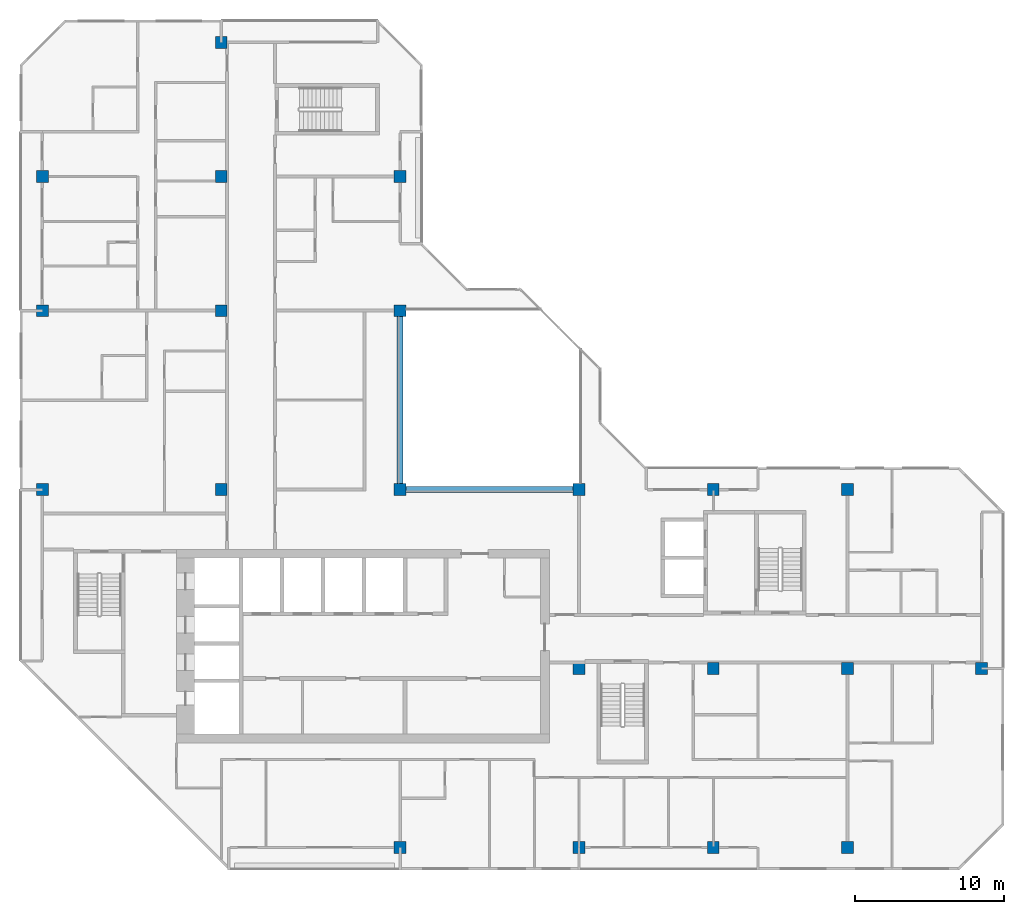
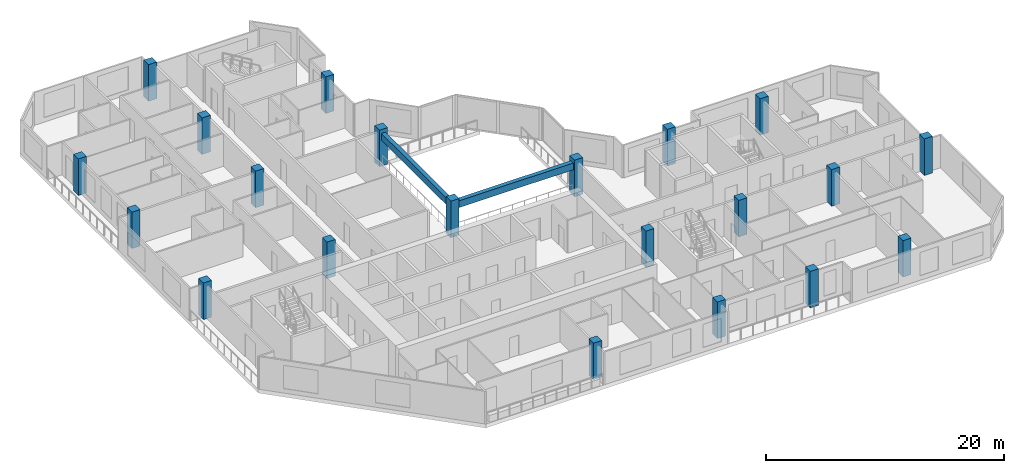
# One storey, part 1 of 13: 21 columns, 2 beams.
"""IFC4 building model written with IfcOpenShell, lengths in metres."""

from ifc_helpers import new_model, si_unit, direction, frame, origin, origin_2d, place, context, subcontext, project, spatial, rectangle, extrude, material, material_profile, profile_set, type_object, element, save


model = new_model("IFC4")

# Units and contexts
model_context = context("Model", 3, precision=1e-05, world=origin(), true_north=direction((0.0, 1.0)))
body_context = subcontext(model_context, "Body", "Model", "MODEL_VIEW")
ifc_project = project(units=[si_unit("LENGTHUNIT", "METRE"), si_unit("AREAUNIT", "SQUARE_METRE"), si_unit("VOLUMEUNIT", "CUBIC_METRE"), si_unit("PLANEANGLEUNIT", "RADIAN"), si_unit("MASSUNIT", "GRAM", prefix="KILO")], contexts=[model_context])

# Site, building, storey
site_placement = place(None, origin())
site = spatial("IfcSite", under=ifc_project, at=site_placement, CompositionType="ELEMENT")
building_placement = place(site_placement, origin())
building = spatial("IfcBuilding", under=site, at=building_placement, Name="Chenar Terraces", CompositionType="ELEMENT")
storey_placement = place(building_placement, frame((0.0, 0.0, 299.64990234375)))
storey = spatial("IfcBuildingStorey", under=building, at=storey_placement, Name="L70", CompositionType="ELEMENT", Elevation=299.64990234375)

# Columns
ifc_material_1 = material(Name="Concrete C50/60", Category="concrete")
ifc_material_profile_1 = material_profile(ifc_material_1, rectangle(XDim=0.800048828125, YDim=0.800048828125, at=origin_2d()), Name="C 800 x 800")
ifc_profile_set_1 = profile_set([ifc_material_profile_1], Name="Concrete C50/60")
column_type = type_object("IfcColumnType", Name="Column C 800 x 800 Concrete C50/60", PredefinedType="COLUMN", material=ifc_profile_set_1)
column_1_placement = place(storey_placement, frame((0.0, 24.0, 0.0), z_axis=(0.0, 0.0, 1.0), x_axis=(1.0, 0.0, 0.0)))
element("IfcColumn", 1, at=column_1_placement, inside=storey, type_object=column_type, Name="Column 5/G L70", PredefinedType="COLUMN", context=body_context, shape_type="SweptSolid", body=[
    extrude(rectangle(XDim=0.800048828125, YDim=0.800048828125, at=origin_2d()), origin(), (0.0, 0.0, 1.0), 3.75),
])
column_2_placement = place(storey_placement, frame((0.0, 36.0, 0.0), z_axis=(0.0, 0.0, 1.0), x_axis=(1.0, 0.0, 0.0)))
element("IfcColumn", 2, at=column_2_placement, inside=storey, type_object=column_type, Name="Column 5/H L70", PredefinedType="COLUMN", context=body_context, shape_type="SweptSolid", body=[
    extrude(rectangle(XDim=0.800048828125, YDim=0.800048828125, at=origin_2d()), origin(), (0.0, 0.0, 1.0), 3.75),
])
for number, where, z_axis, x_axis, name in (
    (3, (0.0, 45.0, 0.0), (0.0, 0.0, 1.0), (1.0, 0.0, 0.0), "Column 5/J L70"),
    (4, (12.0, 24.0, 0.0), (0.0, 0.0, 1.0), (1.0, 0.0, 0.0), "Column 6/G L70"),
    (5, (12.0, 36.0, 0.0), (0.0, 0.0, 1.0), (1.0, 0.0, 0.0), "Column 6/H L70"),
    (6, (12.0, 45.0, 0.0), (0.0, 0.0, 1.0), (1.0, 0.0, 0.0), "Column 6/J L70"),
    (7, (12.0, 54.0, 0.0), (0.0, 0.0, 1.0), (1.0, 0.0, 0.0), "Column 6/K L70"),
    (8, (24.0, 0.0, 0.0), (0.0, 0.0, 1.0), (1.0, 0.0, 0.0), "Column 7/E L70"),
    (9, (24.0, 24.0, 0.0), (0.0, 0.0, 1.0), (1.0, 0.0, 0.0), "Column 7/G L70"),
    (10, (24.0, 36.0, 0.0), (0.0, 0.0, 1.0), (1.0, 0.0, 0.0), "Column 7/H L70"),
    (11, (24.0, 45.0, 0.0), (0.0, 0.0, 1.0), (1.0, 0.0, 0.0), "Column 7/J L70"),
    (12, (36.0, 0.0, 0.0), (0.0, 0.0, 1.0), (1.0, 0.0, 0.0), "Column 8/E L70"),
    (13, (36.0, 12.0, 0.0), (0.0, 0.0, 1.0), (1.0, 0.0, 0.0), "Column 8/F L70"),
    (14, (36.0, 24.0, 0.0), (0.0, 0.0, 1.0), (1.0, 0.0, 0.0), "Column 8/G L70"),
    (15, (45.0, 0.0, 0.0), (0.0, 0.0, 1.0), (1.0, 0.0, 0.0), "Column 9/E L70"),
    (16, (45.0, 12.0, 0.0), (0.0, 0.0, 1.0), (1.0, 0.0, 0.0), "Column 9/F L70"),
    (17, (45.0, 24.0, 0.0), (0.0, 0.0, 1.0), (1.0, 0.0, 0.0), "Column 9/G L70"),
    (18, (54.0, 0.0, 0.0), (0.0, 0.0, 1.0), (1.0, 0.0, 0.0), "Column 10/E L70"),
    (19, (54.0, 12.0, 0.0), (0.0, 0.0, 1.0), (1.0, 0.0, 0.0), "Column 10/F L70"),
    (20, (54.0, 24.0, 0.0), (0.0, 0.0, 1.0), (1.0, 0.0, 0.0), "Column 10/G L70"),
    (21, (63.0, 12.0, 0.0), (0.0, 0.0, 1.0), (1.0, 0.0, 0.0), "Column 11/F L70"),
):
    element("IfcColumn", number, at=place(storey_placement, frame(where, z_axis=z_axis, x_axis=x_axis)), inside=storey, type_object=column_type, Name=name, PredefinedType="COLUMN", context=body_context, shape_type="SweptSolid", body=[
        extrude(rectangle(XDim=0.800048828125, YDim=0.800048828125, at=origin_2d()), origin(), (0.0, 0.0, 1.0), 3.75),
    ])

# Beams
ifc_material_2 = material(Name="Concrete C40/50", Category="concrete")
ifc_material_profile_2 = material_profile(ifc_material_2, rectangle(XDim=0.39990234375, YDim=0.699951171875, at=origin_2d()), Name="RC 400 x 700")
ifc_profile_set_2 = profile_set([ifc_material_profile_2], Name="Concrete C40/50")
beam_type = type_object("IfcBeamType", Name="Atrium edge beam 400 x 700 Concrete C40/50", PredefinedType="BEAM", material=ifc_profile_set_2)
for number, where, z_axis, x_axis, name in (
    (22, (24.39990234375, 24.0, 3.0), (1.0, 0.0, 0.0), (0.0, 1.0, 0.0), "Atrium edge beam L71 1"),
    (23, (24.0, 35.60009765625, 3.0), (0.0, -1.0, 0.0), (1.0, 0.0, 0.0), "Atrium edge beam L71 4"),
):
    element("IfcBeam", number, at=place(storey_placement, frame(where, z_axis=z_axis, x_axis=x_axis)), inside=storey, type_object=beam_type, Name=name, PredefinedType="BEAM", context=body_context, shape_type="SweptSolid", body=[
        extrude(rectangle(XDim=0.39990234375, YDim=0.699951171875, at=origin_2d()), origin(), (0.0, 0.0, 1.0), 11.2001953125),
    ])

save(model, "model.ifc")
